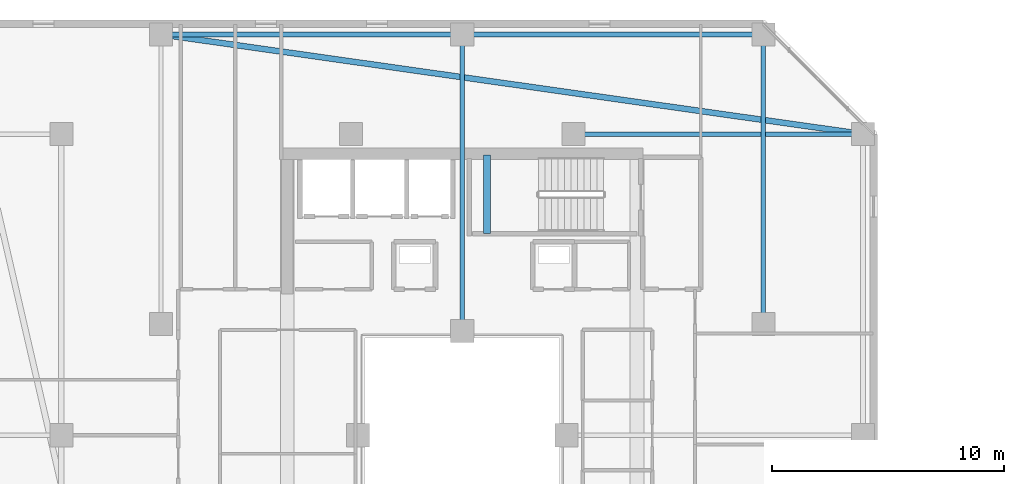
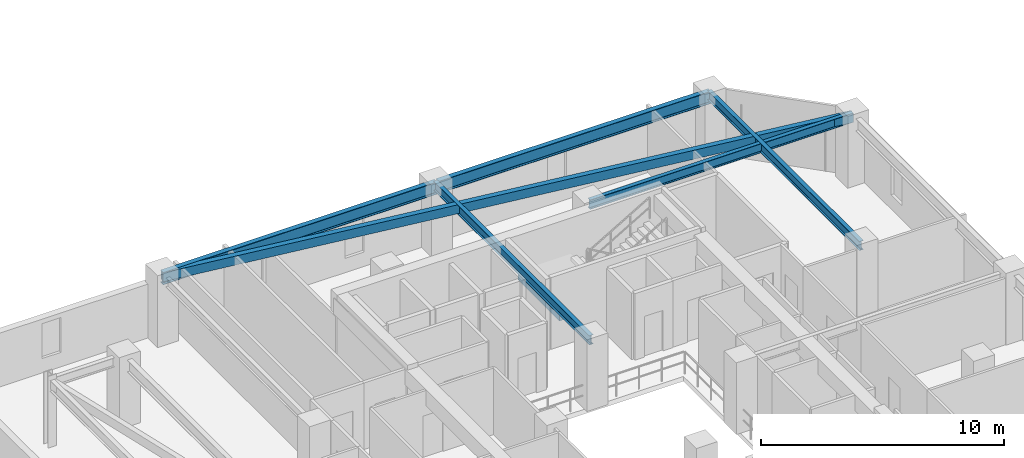
# One storey, part 8 of 32: 7 beams.
"""IFC4 building model written with IfcOpenShell, lengths in metres."""

from ifc_helpers import new_model, si_unit, direction, frame, origin, origin_2d, place, context, subcontext, project, spatial, rectangle, hollow_rectangle, i_section, extrude, material, material_profile, profile_set, type_object, element, save


model = new_model("IFC4")

# Units and contexts
model_context = context("Model", 3, precision=1e-05, world=origin(), true_north=direction((0.0, 1.0)))
body_context = subcontext(model_context, "Body", "Model", "MODEL_VIEW")
ifc_project = project(units=[si_unit("LENGTHUNIT", "METRE"), si_unit("AREAUNIT", "SQUARE_METRE"), si_unit("VOLUMEUNIT", "CUBIC_METRE"), si_unit("PLANEANGLEUNIT", "RADIAN"), si_unit("MASSUNIT", "GRAM", prefix="KILO")], contexts=[model_context])

# Site, building, storey
site_placement = place(None, origin())
site = spatial("IfcSite", under=ifc_project, at=site_placement, CompositionType="ELEMENT")
building_placement = place(site_placement, origin())
building = spatial("IfcBuilding", under=site, at=building_placement, Name="Thornwick Lancets Civic Towers", CompositionType="ELEMENT")
storey_placement = place(building_placement, frame((0.0, 0.0, 247.5)))
storey = spatial("IfcBuildingStorey", under=building, at=storey_placement, Name="L66", CompositionType="ELEMENT", Elevation=247.5)

# Beams
ifc_material_1 = material(Name="Steel S355JR", Category="steel")
ifc_material_profile_1 = material_profile(ifc_material_1, i_section(OverallWidth=0.230224609375, OverallDepth=0.6171875, WebThickness=0.01318359375, FlangeThickness=0.022216796875, FilletRadius=0.0126953125, at=origin_2d()), Name="UKB 610x229x140")
ifc_profile_set_1 = profile_set([ifc_material_profile_1], Name="Steel S355JR")
beam_type_1 = type_object("IfcBeamType", Name="BM_GIRD_610_140", PredefinedType="BEAM", material=ifc_profile_set_1)
beam_1_placement = place(storey_placement, frame((12.5, 44.300048828125, 3.051513671875), z_axis=(1.0, 0.0, 0.0), x_axis=(0.0, 1.0, 0.0)))
element("IfcBeam", 1, at=beam_1_placement, inside=storey, type_object=beam_type_1, Name="BM-SPINE-L66-A-6-7", PredefinedType="BEAM", context=body_context, shape_type="SweptSolid", body=[
    extrude(i_section(OverallWidth=0.230224609375, OverallDepth=0.6171875, WebThickness=0.01318359375, FlangeThickness=0.022216796875, FilletRadius=0.0126953125, at=origin_2d()), origin(), (0.0, 0.0, 1.0), 13.0),
])
beam_2_placement = place(storey_placement, frame((25.580078125, 44.300048828125, 3.051513671875), z_axis=(1.0, 0.0, 0.0), x_axis=(0.0, 1.0, 0.0)))
element("IfcBeam", 2, at=beam_2_placement, inside=storey, type_object=beam_type_1, Name="BM-SPINE-L66-A-7-8", PredefinedType="BEAM", context=body_context, shape_type="SweptSolid", body=[
    extrude(i_section(OverallWidth=0.230224609375, OverallDepth=0.6171875, WebThickness=0.01318359375, FlangeThickness=0.022216796875, FilletRadius=0.0126953125, at=origin_2d()), origin(), (0.0, 0.0, 1.0), 12.919921875),
])
ifc_material_profile_2 = material_profile(ifc_material_1, i_section(OverallWidth=0.19189453125, OverallDepth=0.46337890625, WebThickness=0.010498046875, FlangeThickness=0.017578125, FilletRadius=0.01025390625, at=origin_2d()), Name="UKB 457x191x89")
ifc_profile_set_2 = profile_set([ifc_material_profile_2], Name="Steel S355JR")
beam_type_2 = type_object("IfcBeamType", Name="BM_JOIST_457_89", PredefinedType="JOIST", material=ifc_profile_set_2)
beam_3_placement = place(storey_placement, frame((30.300048828125, 40.0, 3.12841796875), z_axis=(1.0, 0.0, 0.0), x_axis=(0.0, 1.0, 0.0)))
element("IfcBeam", 3, at=beam_3_placement, inside=storey, type_object=beam_type_2, Name="BM-RADIN-L66-A06", PredefinedType="JOIST", context=body_context, shape_type="SweptSolid", body=[
    extrude(i_section(OverallWidth=0.19189453125, OverallDepth=0.46337890625, WebThickness=0.010498046875, FlangeThickness=0.017578125, FilletRadius=0.01025390625, at=origin_2d()), origin(), (0.0, 0.0, 1.0), 12.5),
])
beam_4_placement = place(storey_placement, frame((25.5, 31.5, 3.12841796875), z_axis=(0.0, 1.0, 0.0), x_axis=(-1.0, 0.0, 0.0)))
element("IfcBeam", 4, at=beam_4_placement, inside=storey, type_object=beam_type_2, Name="BM-RADIN-L66-A08", PredefinedType="JOIST", context=body_context, shape_type="SweptSolid", body=[
    extrude(i_section(OverallWidth=0.19189453125, OverallDepth=0.46337890625, WebThickness=0.010498046875, FlangeThickness=0.017578125, FilletRadius=0.01025390625, at=origin_2d()), origin(), (0.0, 0.0, 1.0), 12.800048828125),
])
beam_5_placement = place(storey_placement, frame((38.5, 31.800048828125, 3.12841796875), z_axis=(0.0, 1.0, 0.0), x_axis=(-1.0, 0.0, 0.0)))
element("IfcBeam", 5, at=beam_5_placement, inside=storey, type_object=beam_type_2, Name="BM-RADIN-L66-A09", PredefinedType="JOIST", context=body_context, shape_type="SweptSolid", body=[
    extrude(i_section(OverallWidth=0.19189453125, OverallDepth=0.46337890625, WebThickness=0.010498046875, FlangeThickness=0.017578125, FilletRadius=0.01025390625, at=origin_2d()), origin(), (0.0, 0.0, 1.0), 12.5),
])
ifc_material_profile_3 = material_profile(ifc_material_1, hollow_rectangle(XDim=0.25, YDim=0.449951171875, WallThickness=0.01611328125, at=origin_2d()), Name="RHS 450x250x16")
ifc_profile_set_3 = profile_set([ifc_material_profile_3], Name="Steel S355JR")
beam_type_3 = type_object("IfcBeamType", Name="BM_RING_RHS450", PredefinedType="BEAM", material=ifc_profile_set_3)
beam_6_placement = place(storey_placement, frame((42.800048828125, 40.0, 3.135009765625), z_axis=(-0.990079584012, 0.140507712682, 0.0), x_axis=(-0.140507712682, -0.990079584012, 0.0)))
element("IfcBeam", 6, at=beam_6_placement, inside=storey, type_object=beam_type_3, Name="BM-CHAMF-L66-A-C1", PredefinedType="BEAM", context=body_context, shape_type="SweptSolid", body=[
    extrude(hollow_rectangle(XDim=0.25, YDim=0.449951171875, WallThickness=0.01611328125, at=origin_2d()), origin(), (0.0, 0.0, 1.0), 30.603759765625),
])
ifc_material_2 = material(Name="Concrete C40/50", Category="concrete")
ifc_material_profile_4 = material_profile(ifc_material_2, rectangle(XDim=0.300048828125, YDim=0.35009765625, at=origin_2d()), Name="RC 300x350")
ifc_profile_set_4 = profile_set([ifc_material_profile_4], Name="Concrete C40/50")
beam_type_4 = type_object("IfcBeamType", Name="BM_STAIR_LDG", PredefinedType="BEAM", material=ifc_profile_set_4)
beam_7_placement = place(storey_placement, frame((26.56494140625, 39.10009765625, 1.3779296875), z_axis=(0.0, -1.0, 0.0), x_axis=(1.0, 0.0, 0.0)))
element("IfcBeam", 7, at=beam_7_placement, inside=storey, type_object=beam_type_4, Name="L66 ST-A2 Landing Support Beam 1", PredefinedType="BEAM", context=body_context, shape_type="SweptSolid", body=[
    extrude(rectangle(XDim=0.300048828125, YDim=0.35009765625, at=origin_2d()), origin(), (0.0, 0.0, 1.0), 3.400146484375),
])

save(model, "model.ifc")
